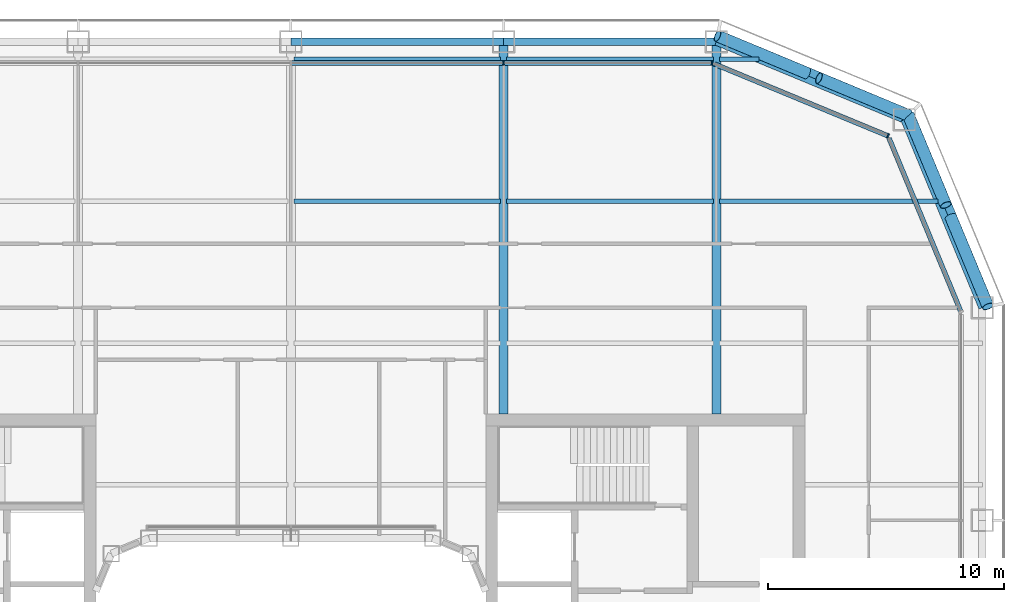
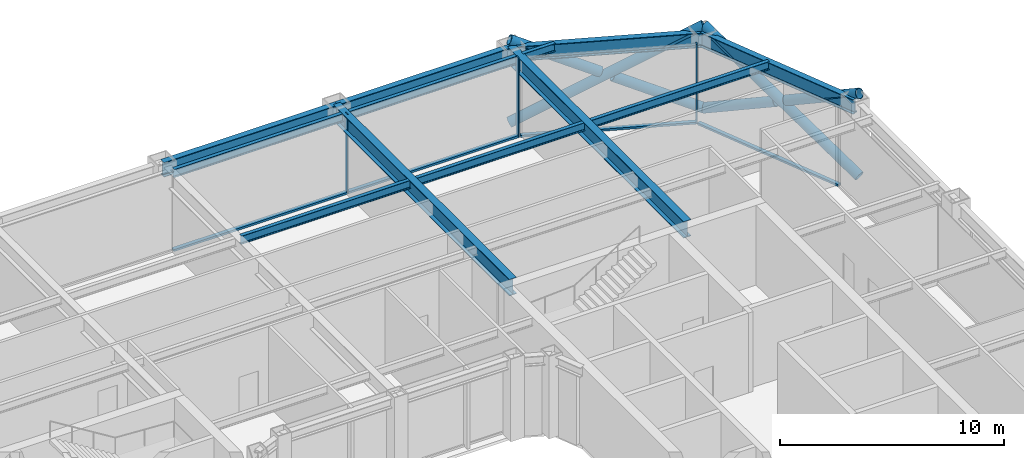
# One storey, part 9 of 21: 13 members, 12 beams, 3 elements without a shape of their own.
"""IFC4 building model written with IfcOpenShell, lengths in metres."""

from ifc_helpers import new_model, si_unit, direction, frame, origin, origin_2d, place, context, subcontext, project, spatial, rectangle, hollow_circle, i_section, extrude, material, layer, layer_set, material_profile, profile_set, type_object, element, aggregate, save


model = new_model("IFC4")

# Units and contexts
model_context = context("Model", 3, precision=1e-05, world=origin(), true_north=direction((0.0, 1.0)))
body_context = subcontext(model_context, "Body", "Model", "MODEL_VIEW")
ifc_project = project(units=[si_unit("LENGTHUNIT", "METRE"), si_unit("AREAUNIT", "SQUARE_METRE"), si_unit("VOLUMEUNIT", "CUBIC_METRE"), si_unit("PLANEANGLEUNIT", "RADIAN"), si_unit("MASSUNIT", "GRAM", prefix="KILO")], contexts=[model_context])

# Site, building, storey
site_placement = place(None, origin())
site = spatial("IfcSite", under=ifc_project, at=site_placement, CompositionType="ELEMENT")
building_placement = place(site_placement, origin())
building = spatial("IfcBuilding", under=site, at=building_placement, Name="Siwar Civic Tower", CompositionType="ELEMENT")
storey_placement = place(building_placement, frame((0.0, 0.0, 122.699951171875)))
storey = spatial("IfcBuildingStorey", under=building, at=storey_placement, Name="L26", CompositionType="ELEMENT", Elevation=122.699951171875)

# Curtain wall, member
ifc_material_1 = material(Name="Aluminium clad insulated panel", Category="aluminium")
ifc_layer_1 = layer(ifc_material_1, 0.199951171875)
ifc_layer_set_1 = layer_set([ifc_layer_1], Name="Aluminium clad insulated panel")
curtain_wall_type_1 = type_object("IfcCurtainWallType", Name="ENV-CW-BX", PredefinedType="NOTDEFINED", material=ifc_layer_set_1)
curtain_wall_1_placement = place(storey_placement, origin())
curtain_wall_1 = element("IfcCurtainWall", 1, at=curtain_wall_1_placement, inside=storey, type_object=curtain_wall_type_1, Name="Curtain wall B NE2", PredefinedType="NOTDEFINED")
ifc_material_2 = material(Name="Aluminium 6063-T6", Category="aluminium")
ifc_material_profile_1 = material_profile(ifc_material_2, rectangle(XDim=0.199951171875, YDim=0.06494140625, at=origin_2d()), Name="AL 200x65")
ifc_profile_set_1 = profile_set([ifc_material_profile_1], Name="Aluminium 6063-T6")
member_type_1 = type_object("IfcMemberType", Name="ENV-MULLION-B", PredefinedType="MULLION", material=ifc_profile_set_1)
member_1_placement = place(storey_placement, frame((25.26611328125, 25.26611328125, 0.0), z_axis=(0.0, 0.0, 1.0), x_axis=(-0.382683432365, -0.923879532511, 0.0)))
member_1 = element("IfcMember", 2, at=member_1_placement, type_object=member_type_1, Name="Mullion B NE2 1", PredefinedType="MULLION", context=body_context, shape_type="SweptSolid", body=[
    extrude(rectangle(XDim=0.199951171875, YDim=0.06494140625, at=origin_2d()), origin(), (0.0, 0.0, 1.0), 4.35009765625),
])

# Curtain wall, members
ifc_material_3 = material(Name="Aluminium and glass", Category="aluminium")
ifc_layer_2 = layer(ifc_material_3, 0.199951171875)
ifc_layer_set_2 = layer_set([ifc_layer_2], Name="Aluminium and glass")
curtain_wall_type_2 = type_object("IfcCurtainWallType", Name="ENV-CW-B", PredefinedType="NOTDEFINED", material=ifc_layer_set_2)
curtain_wall_2_placement = place(storey_placement, origin())
curtain_wall_2 = element("IfcCurtainWall", 3, at=curtain_wall_2_placement, inside=storey, type_object=curtain_wall_type_2, Name="Curtain wall B N", PredefinedType="NOTDEFINED")
member_2_placement = place(storey_placement, frame((17.821044921875, 28.35009765625, 0.0), z_axis=(0.0, 0.0, 1.0), x_axis=(0.0, -1.0, 0.0)))
member_2 = element("IfcMember", 4, at=member_2_placement, type_object=member_type_1, Name="Mullion B N 1", PredefinedType="MULLION", context=body_context, shape_type="SweptSolid", body=[
    extrude(rectangle(XDim=0.199951171875, YDim=0.06494140625, at=origin_2d()), origin(), (0.0, 0.0, 1.0), 4.35009765625),
])
member_3_placement = place(storey_placement, frame((9.0, 28.35009765625, 0.0), z_axis=(0.0, 0.0, 1.0), x_axis=(0.0, -1.0, 0.0)))
member_3 = element("IfcMember", 5, at=member_3_placement, type_object=member_type_1, Name="Mullion B N 2", PredefinedType="MULLION", context=body_context, shape_type="SweptSolid", body=[
    extrude(rectangle(XDim=0.199951171875, YDim=0.06494140625, at=origin_2d()), origin(), (0.0, 0.0, 1.0), 4.35009765625),
])

# Curtain wall, member
curtain_wall_3_placement = place(storey_placement, origin())
curtain_wall_3 = element("IfcCurtainWall", 6, at=curtain_wall_3_placement, inside=storey, type_object=curtain_wall_type_1, Name="Curtain wall B NE1", PredefinedType="NOTDEFINED")
ifc_material_4 = material(Name="Aluminium 6063-T6", Category="aluminium")
ifc_material_profile_2 = material_profile(ifc_material_4, rectangle(XDim=0.199951171875, YDim=0.110107421875, at=origin_2d()), Name="AL 200x110")
ifc_profile_set_2 = profile_set([ifc_material_profile_2], Name="Aluminium 6063-T6")
member_type_2 = type_object("IfcMemberType", Name="ENV-TRANSOM-B", PredefinedType="USERDEFINED", material=ifc_profile_set_2)
member_4_placement = place(storey_placement, frame((28.337646484375, 17.85107421875, 0.054931640625), z_axis=(-0.382699695651, 0.92387279587, 0.0), x_axis=(-0.92387279587, -0.382699695651, 0.0)))
member_4 = element("IfcMember", 7, at=member_4_placement, type_object=member_type_2, Name="Transom B NE1 1", ObjectType="TRANSOM", PredefinedType="USERDEFINED", context=body_context, shape_type="SweptSolid", body=[
    extrude(rectangle(XDim=0.199951171875, YDim=0.110107421875, at=origin_2d()), origin(), (0.0, 0.0, 1.0), 7.912353515625),
])
aggregate(curtain_wall_3, [member_4])

# Member
member_5_placement = place(storey_placement, frame((25.236083984375, 25.278564453125, 0.054931640625), z_axis=(-0.923883705044, 0.382673358825, 0.0), x_axis=(-0.382673358825, -0.923883705044, 0.0)))
member_5 = element("IfcMember", 8, at=member_5_placement, type_object=member_type_2, Name="Transom B NE2 1", ObjectType="TRANSOM", PredefinedType="USERDEFINED", context=body_context, shape_type="SweptSolid", body=[
    extrude(rectangle(XDim=0.199951171875, YDim=0.110107421875, at=origin_2d()), origin(), (0.0, 0.0, 1.0), 7.912353515625),
])

aggregate(curtain_wall_1, [member_1, member_5])

member_6_placement = place(storey_placement, frame((17.78857421875, 28.35009765625, 0.054931640625), z_axis=(-1.0, 0.0, 0.0), x_axis=(0.0, -1.0, 0.0)))
member_6 = element("IfcMember", 9, at=member_6_placement, type_object=member_type_2, Name="Transom B N 1", ObjectType="TRANSOM", PredefinedType="USERDEFINED", context=body_context, shape_type="SweptSolid", body=[
    extrude(rectangle(XDim=0.199951171875, YDim=0.110107421875, at=origin_2d()), origin(), (0.0, 0.0, 1.0), 8.756103515625),
])

member_7_placement = place(storey_placement, frame((8.967529296875, 28.35009765625, 0.054931640625), z_axis=(-1.0, 0.0, 0.0), x_axis=(0.0, -1.0, 0.0)))
member_7 = element("IfcMember", 10, at=member_7_placement, type_object=member_type_2, Name="Transom B N 2", ObjectType="TRANSOM", PredefinedType="USERDEFINED", context=body_context, shape_type="SweptSolid", body=[
    extrude(rectangle(XDim=0.199951171875, YDim=0.110107421875, at=origin_2d()), origin(), (0.0, 0.0, 1.0), 8.93505859375),
])

aggregate(curtain_wall_2, [member_2, member_3, member_6, member_7])

# Members
ifc_material_5 = material(Name="Steel S355", Category="steel")
ifc_material_profile_3 = material_profile(ifc_material_5, hollow_circle(Radius=0.25390625, WallThickness=0.02490234375, at=origin_2d()), Name="CHS508x25")
ifc_profile_set_3 = profile_set([ifc_material_profile_3], Name="Steel S355")
member_type_3 = type_object("IfcMemberType", Name="STR-BR-CHS508x25", PredefinedType="BRACE", material=ifc_profile_set_3)
member_8_placement = place(storey_placement, frame((18.048828125, 29.4951171875, 0.0), z_axis=(0.821142553604, -0.341671493852, 0.457149315816), x_axis=(0.384163874976, 0.923264922524, 0.0)))
element("IfcMember", 11, at=member_8_placement, inside=storey, type_object=member_type_3, Name="L26/brc/BNE1-5-0-1", PredefinedType="BRACE", context=body_context, shape_type="SweptSolid", body=[
    extrude(hollow_circle(Radius=0.25390625, WallThickness=0.02490234375, at=origin_2d()), origin(), (0.0, 0.0, 1.0), 9.843505859375),
])
member_9_placement = place(storey_placement, frame((26.1318359375, 26.1318359375, 0.0), z_axis=(-0.821143275065, 0.341662474736, 0.457154760636), x_axis=(-0.384154943021, -0.923268638995, 0.0)))
element("IfcMember", 12, at=member_9_placement, inside=storey, type_object=member_type_3, Name="L26/brc/BNE1-5-0-2", PredefinedType="BRACE", context=body_context, shape_type="SweptSolid", body=[
    extrude(hollow_circle(Radius=0.25390625, WallThickness=0.02490234375, at=origin_2d()), origin(), (0.0, 0.0, 1.0), 4.61474609375),
])
member_10_placement = place(storey_placement, frame((21.837890625, 27.91845703125, 2.390625), z_axis=(-0.821145902409, 0.34168558233, 0.457132770413), x_axis=(-0.384176042158, -0.923259859753, 0.0)))
element("IfcMember", 13, at=member_10_placement, inside=storey, type_object=member_type_3, Name="L26/brc/BNE1-5-0-3", PredefinedType="BRACE", context=body_context, shape_type="SweptSolid", body=[
    extrude(hollow_circle(Radius=0.25390625, WallThickness=0.02490234375, at=origin_2d()), origin(), (0.0, 0.0, 1.0), 4.6142578125),
])
member_11_placement = place(storey_placement, frame((29.4951171875, 18.048828125, 0.0), z_axis=(-0.341671493852, 0.821142553604, 0.457149315816), x_axis=(-0.923264922524, -0.384163874976, 0.0)))
element("IfcMember", 14, at=member_11_placement, inside=storey, type_object=member_type_3, Name="L26/brc/BNE1-5-0-0", PredefinedType="BRACE", context=body_context, shape_type="SweptSolid", body=[
    extrude(hollow_circle(Radius=0.25390625, WallThickness=0.02490234375, at=origin_2d()), origin(), (0.0, 0.0, 1.0), 9.843505859375),
])
member_12_placement = place(storey_placement, frame((26.1318359375, 26.1318359375, 0.0), z_axis=(0.341662474736, -0.821143275065, 0.457154760636), x_axis=(0.923268638995, 0.384154943021, 0.0)))
element("IfcMember", 15, at=member_12_placement, inside=storey, type_object=member_type_3, Name="L26/brc/BNE1-5-0-4", PredefinedType="BRACE", context=body_context, shape_type="SweptSolid", body=[
    extrude(hollow_circle(Radius=0.25390625, WallThickness=0.02490234375, at=origin_2d()), origin(), (0.0, 0.0, 1.0), 4.61474609375),
])
member_13_placement = place(storey_placement, frame((27.91845703125, 21.837890625, 2.390625), z_axis=(0.34168558233, -0.821145902409, 0.457132770413), x_axis=(0.923259859753, 0.384176042158, 0.0)))
element("IfcMember", 16, at=member_13_placement, inside=storey, type_object=member_type_3, Name="L26/brc/BNE1-5-0-5", PredefinedType="BRACE", context=body_context, shape_type="SweptSolid", body=[
    extrude(hollow_circle(Radius=0.25390625, WallThickness=0.02490234375, at=origin_2d()), origin(), (0.0, 0.0, 1.0), 4.6142578125),
])

# Beams
ifc_material_6 = material(Name="Steel S355", Category="steel")
ifc_material_profile_4 = material_profile(ifc_material_6, i_section(OverallWidth=0.18994140625, OverallDepth=0.449951171875, WebThickness=0.009521484375, FlangeThickness=0.0146484375, FilletRadius=0.02099609375, at=origin_2d()), Name="IPE450")
ifc_profile_set_4 = profile_set([ifc_material_profile_4], Name="Steel S355")
beam_type_1 = type_object("IfcBeamType", Name="STR-FB-IPE450", PredefinedType="JOIST", material=ifc_profile_set_4)
for number, where, z_axis, x_axis, name in (
    (17, (0.1298828125, 22.5, 4.125), (1.0, 0.0, 0.0), (0.0, 1.0, 0.0), "L26/bm/F040"),
    (18, (9.1298828125, 22.5, 4.125), (1.0, 0.0, 0.0), (0.0, 1.0, 0.0), "L26/bm/F041"),
):
    element("IfcBeam", number, at=place(storey_placement, frame(where, z_axis=z_axis, x_axis=x_axis)), inside=storey, type_object=beam_type_1, Name=name, PredefinedType="JOIST", context=body_context, shape_type="SweptSolid", body=[
        extrude(i_section(OverallWidth=0.18994140625, OverallDepth=0.449951171875, WebThickness=0.009521484375, FlangeThickness=0.0146484375, FilletRadius=0.02099609375, at=origin_2d()), origin(), (0.0, 0.0, 1.0), 8.740234375),
    ])
beam_1_placement = place(storey_placement, frame((18.1298828125, 22.5, 4.125), z_axis=(1.0, 0.0, 0.0), x_axis=(0.0, 1.0, 0.0)))
element("IfcBeam", 19, at=beam_1_placement, inside=storey, type_object=beam_type_1, Name="L26/bm/F042", PredefinedType="JOIST", context=body_context, shape_type="SweptSolid", body=[
    extrude(i_section(OverallWidth=0.18994140625, OverallDepth=0.449951171875, WebThickness=0.009521484375, FlangeThickness=0.0146484375, FilletRadius=0.02099609375, at=origin_2d()), origin(), (0.0, 0.0, 1.0), 9.256103515625),
])
for number, where, z_axis, x_axis, name in (
    (20, (0.1298828125, 28.5, 4.125), (1.0, 0.0, 0.0), (0.0, 1.0, 0.0), "L26/bm/F046"),
    (21, (9.1298828125, 28.5, 4.125), (1.0, 0.0, 0.0), (0.0, 1.0, 0.0), "L26/bm/F047"),
):
    element("IfcBeam", number, at=place(storey_placement, frame(where, z_axis=z_axis, x_axis=x_axis)), inside=storey, type_object=beam_type_1, Name=name, PredefinedType="JOIST", context=body_context, shape_type="SweptSolid", body=[
        extrude(i_section(OverallWidth=0.18994140625, OverallDepth=0.449951171875, WebThickness=0.009521484375, FlangeThickness=0.0146484375, FilletRadius=0.02099609375, at=origin_2d()), origin(), (0.0, 0.0, 1.0), 8.740234375),
    ])
beam_2_placement = place(storey_placement, frame((18.1298828125, 28.5, 4.125), z_axis=(1.0, 0.0, 0.0), x_axis=(0.0, 1.0, 0.0)))
element("IfcBeam", 22, at=beam_2_placement, inside=storey, type_object=beam_type_1, Name="L26/bm/F048", PredefinedType="JOIST", context=body_context, shape_type="SweptSolid", body=[
    extrude(i_section(OverallWidth=0.18994140625, OverallDepth=0.449951171875, WebThickness=0.009521484375, FlangeThickness=0.0146484375, FilletRadius=0.02099609375, at=origin_2d()), origin(), (0.0, 0.0, 1.0), 1.6806640625),
])
ifc_material_7 = material(Name="Steel S355", Category="steel")
ifc_material_profile_5 = material_profile(ifc_material_7, i_section(OverallWidth=0.3798828125, OverallDepth=0.89990234375, WebThickness=0.01611328125, FlangeThickness=0.035888671875, at=origin_2d()), Name="PG900x380x16x36")
ifc_profile_set_5 = profile_set([ifc_material_profile_5], Name="Steel S355")
beam_type_2 = type_object("IfcBeamType", Name="STR-PG-PG900x380x16x36", PredefinedType="BEAM", material=ifc_profile_set_5)
for number, where, z_axis, x_axis, name in (
    (23, (9.0, 13.5, 3.900146484375), (0.0, 1.0, 0.0), (-1.0, 0.0, 0.0), "L26/bm/G08"),
    (24, (18.0, 13.5, 3.900146484375), (0.0, 1.0, 0.0), (-1.0, 0.0, 0.0), "L26/bm/G10"),
):
    element("IfcBeam", number, at=place(storey_placement, frame(where, z_axis=z_axis, x_axis=x_axis)), inside=storey, type_object=beam_type_2, Name=name, PredefinedType="BEAM", context=body_context, shape_type="SweptSolid", body=[
        extrude(i_section(OverallWidth=0.3798828125, OverallDepth=0.89990234375, WebThickness=0.01611328125, FlangeThickness=0.035888671875, at=origin_2d()), origin(), (0.0, 0.0, 1.0), 15.75),
    ])
ifc_material_8 = material(Name="Steel S355", Category="steel")
ifc_material_profile_6 = material_profile(ifc_material_8, i_section(OverallWidth=0.300048828125, OverallDepth=0.800048828125, WebThickness=0.017578125, FlangeThickness=0.032958984375, FilletRadius=0.030029296875, at=origin_2d()), Name="HEB800")
ifc_profile_set_6 = profile_set([ifc_material_profile_6], Name="Steel S355")
beam_type_3 = type_object("IfcBeamType", Name="STR-SB-HEB800", PredefinedType="BEAM", material=ifc_profile_set_6)
for number, where, z_axis, x_axis, name in (
    (25, (29.25, 18.0, 3.949951171875), (-0.382699877515, 0.923872720536, 0.0), (-0.923872720536, -0.382699877515, 0.0), "L26/bm/SNE1-0"),
    (26, (25.954833984375, 25.954833984375, 3.949951171875), (-0.923872720536, 0.382699877515, 0.0), (-0.382699877515, -0.923872720536, 0.0), "L26/bm/SNE2-0"),
):
    element("IfcBeam", number, at=place(storey_placement, frame(where, z_axis=z_axis, x_axis=x_axis)), inside=storey, type_object=beam_type_3, Name=name, PredefinedType="BEAM", context=body_context, shape_type="SweptSolid", body=[
        extrude(i_section(OverallWidth=0.300048828125, OverallDepth=0.800048828125, WebThickness=0.017578125, FlangeThickness=0.032958984375, FilletRadius=0.030029296875, at=origin_2d()), origin(), (0.0, 0.0, 1.0), 8.6103515625),
    ])
for number, where, z_axis, x_axis, name in (
    (27, (18.0, 29.25, 3.949951171875), (-1.0, 0.0, 0.0), (0.0, -1.0, 0.0), "L26/bm/SN-0"),
    (28, (9.0, 29.25, 3.949951171875), (-1.0, 0.0, 0.0), (0.0, -1.0, 0.0), "L26/bm/SN-1"),
):
    element("IfcBeam", number, at=place(storey_placement, frame(where, z_axis=z_axis, x_axis=x_axis)), inside=storey, type_object=beam_type_3, Name=name, PredefinedType="BEAM", context=body_context, shape_type="SweptSolid", body=[
        extrude(i_section(OverallWidth=0.300048828125, OverallDepth=0.800048828125, WebThickness=0.017578125, FlangeThickness=0.032958984375, FilletRadius=0.030029296875, at=origin_2d()), origin(), (0.0, 0.0, 1.0), 9.0),
    ])

save(model, "model.ifc")
